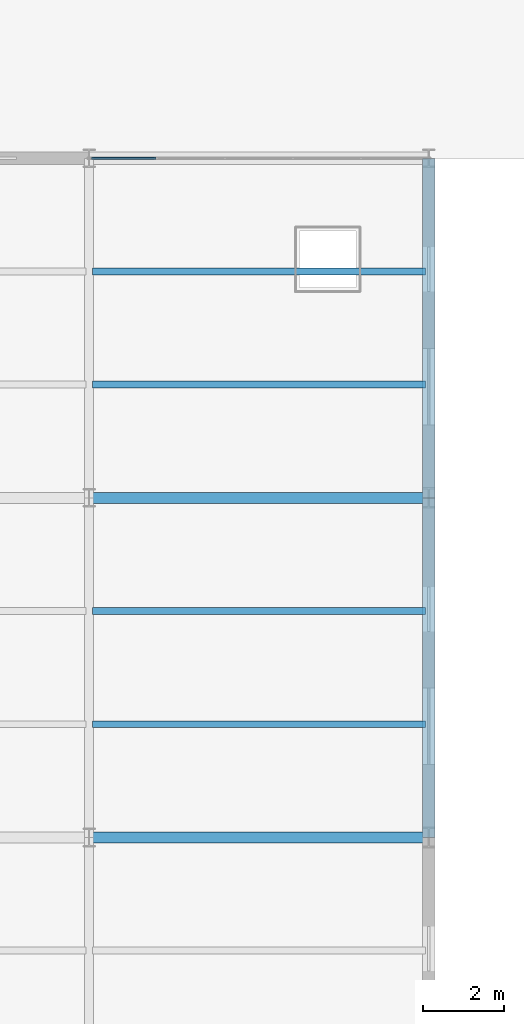
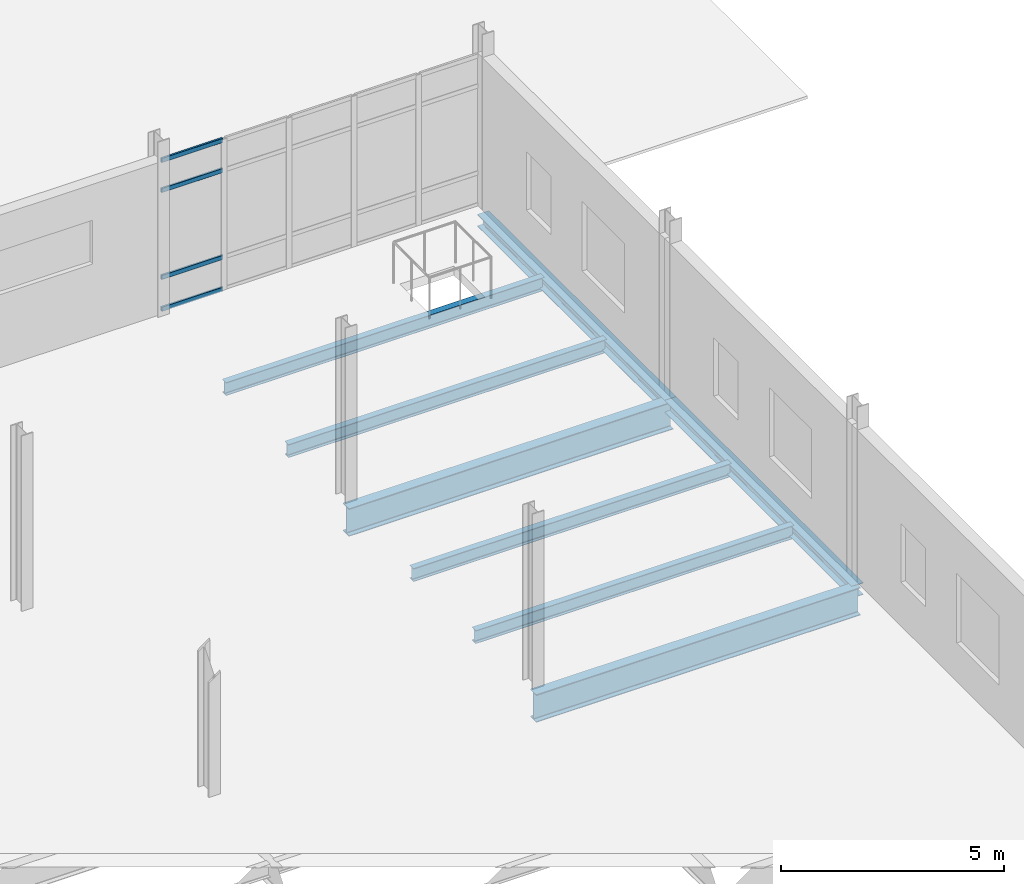
# One storey, part 103 of 145: 8 beams, 4 members, 1 element without a shape of its own.
"""IFC4 building model written with IfcOpenShell, lengths in metres."""

from ifc_helpers import new_model, si_unit, direction, frame, origin, origin_2d, place, context, subcontext, project, spatial, hollow_rectangle, i_section, extrude, material, layer, layer_set, material_profile, profile_set, type_object, element, aggregate, save


model = new_model("IFC4")

# Units and contexts
model_context = context("Model", 3, precision=1e-05, world=origin(), true_north=direction((0.0, 1.0)))
body_context = subcontext(model_context, "Body", "Model", "MODEL_VIEW")
ifc_project = project(units=[si_unit("LENGTHUNIT", "METRE"), si_unit("AREAUNIT", "SQUARE_METRE"), si_unit("VOLUMEUNIT", "CUBIC_METRE"), si_unit("PLANEANGLEUNIT", "RADIAN"), si_unit("MASSUNIT", "GRAM", prefix="KILO")], contexts=[model_context])

# Site, building, storey
site_placement = place(None, origin())
site = spatial("IfcSite", under=ifc_project, at=site_placement, CompositionType="ELEMENT")
building_placement = place(site_placement, origin())
building = spatial("IfcBuilding", under=site, at=building_placement, Name="Qalvenar Corner Mobility Hub", CompositionType="ELEMENT")
storey_placement = place(building_placement, origin())
storey = spatial("IfcBuildingStorey", under=building, at=storey_placement, Name="L00", CompositionType="ELEMENT", Elevation=0.0)

# Beams
ifc_material_1 = material(Name="Steel S355", Category="steel")
ifc_material_profile_1 = material_profile(ifc_material_1, i_section(OverallWidth=0.26708984375, OverallDepth=0.761962890625, WebThickness=0.014404296875, FlangeThickness=0.021484375, FilletRadius=0.01708984375, at=origin_2d()), Name="IPE750x173")
ifc_profile_set_1 = profile_set([ifc_material_profile_1], Name="Steel S355")
beam_type_1 = type_object("IfcBeamType", Name="BM-IPE750", PredefinedType="BEAM", material=ifc_profile_set_1)
for number, where, z_axis, x_axis, name in (
    (1, (159.60009765625, 33.60009765625, -0.631103515625), (1.0, 0.0, 0.0), (0.0, 1.0, 0.0), "Primary Steel Girder GX-0282"),
    (2, (159.60009765625, 42.0, -0.631103515625), (1.0, 0.0, 0.0), (0.0, 1.0, 0.0), "Primary Steel Girder GX-0289"),
):
    element("IfcBeam", number, at=place(storey_placement, frame(where, z_axis=z_axis, x_axis=x_axis)), inside=storey, type_object=beam_type_1, Name=name, PredefinedType="BEAM", context=body_context, shape_type="SweptSolid", body=[
        extrude(i_section(OverallWidth=0.26708984375, OverallDepth=0.761962890625, WebThickness=0.014404296875, FlangeThickness=0.021484375, FilletRadius=0.01708984375, at=origin_2d()), origin(), (0.0, 0.0, 1.0), 8.39990234375),
    ])
ifc_material_profile_2 = material_profile(ifc_material_1, i_section(OverallWidth=0.169921875, OverallDepth=0.360107421875, WebThickness=0.008056640625, FlangeThickness=0.0126953125, FilletRadius=0.01806640625, at=origin_2d()), Name="IPE360")
ifc_profile_set_2 = profile_set([ifc_material_profile_2], Name="Steel S355")
beam_type_2 = type_object("IfcBeamType", Name="BM-JST360", PredefinedType="JOIST", material=ifc_profile_set_2)
for number, where, z_axis, x_axis, name in (
    (3, (159.677978515625, 36.39990234375, -0.429931640625), (1.0, 0.0, 0.0), (0.0, 1.0, 0.0), "Composite Floor Joist J-0419"),
    (4, (159.677978515625, 39.199951171875, -0.429931640625), (1.0, 0.0, 0.0), (0.0, 1.0, 0.0), "Composite Floor Joist J-0420"),
    (5, (159.677978515625, 44.800048828125, -0.429931640625), (1.0, 0.0, 0.0), (0.0, 1.0, 0.0), "Composite Floor Joist J-0421"),
    (6, (159.677978515625, 47.60009765625, -0.429931640625), (1.0, 0.0, 0.0), (0.0, 1.0, 0.0), "Composite Floor Joist J-0422"),
):
    element("IfcBeam", number, at=place(storey_placement, frame(where, z_axis=z_axis, x_axis=x_axis)), inside=storey, type_object=beam_type_2, Name=name, PredefinedType="JOIST", context=body_context, shape_type="SweptSolid", body=[
        extrude(i_section(OverallWidth=0.169921875, OverallDepth=0.360107421875, WebThickness=0.008056640625, FlangeThickness=0.0126953125, FilletRadius=0.01806640625, at=origin_2d()), origin(), (0.0, 0.0, 1.0), 8.244140625),
    ])
ifc_material_profile_3 = material_profile(ifc_material_1, i_section(OverallWidth=0.300048828125, OverallDepth=0.330078125, WebThickness=0.009521484375, FlangeThickness=0.0166015625, FilletRadius=0.027099609375, at=origin_2d()), Name="HEA340")
ifc_profile_set_3 = profile_set([ifc_material_profile_3], Name="Steel S355")
beam_type_3 = type_object("IfcBeamType", Name="BM-SPN340", PredefinedType="SPANDREL", material=ifc_profile_set_3)
for number, where, z_axis, x_axis, name in (
    (7, (168.0, 33.60009765625, -0.4150390625), (0.0, 1.0, 0.0), (-1.0, 0.0, 0.0), "Primary Steel Girder GY-0339"),
    (8, (168.0, 42.0, -0.4150390625), (0.0, 1.0, 0.0), (-1.0, 0.0, 0.0), "Primary Steel Girder GY-0340"),
):
    element("IfcBeam", number, at=place(storey_placement, frame(where, z_axis=z_axis, x_axis=x_axis)), inside=storey, type_object=beam_type_3, Name=name, PredefinedType="SPANDREL", context=body_context, shape_type="SweptSolid", body=[
        extrude(i_section(OverallWidth=0.300048828125, OverallDepth=0.330078125, WebThickness=0.009521484375, FlangeThickness=0.0166015625, FilletRadius=0.027099609375, at=origin_2d()), origin(), (0.0, 0.0, 1.0), 8.39990234375),
    ])

# Curtain wall, members
ifc_material_2 = material(Name="Anodised Aluminium and Low-E Glazing", Category="aluminium")
ifc_layer = layer(ifc_material_2, 0.14990234375)
ifc_layer_set = layer_set([ifc_layer], Name="Anodised Aluminium and Low-E Glazing")
curtain_wall_type = type_object("IfcCurtainWallType", Name="CW-WKS-84X44", PredefinedType="NOTDEFINED", material=ifc_layer_set)
curtain_wall_placement = place(storey_placement, origin())
curtain_wall = element("IfcCurtainWall", 9, at=curtain_wall_placement, inside=storey, type_object=curtain_wall_type, Name="Glazed Curtain Wall CW-V6-L00-N6", PredefinedType="NOTDEFINED")
ifc_material_3 = material(Name="Anodised Aluminium 6063-T6", Category="aluminium")
ifc_material_profile_4 = material_profile(ifc_material_3, hollow_rectangle(XDim=0.054931640625, YDim=0.1201171875, WallThickness=0.00341796875, InnerFilletRadius=0.00341796875, OuterFilletRadius=0.007080078125, at=origin_2d()), Name="RHS120x55x3.5")
ifc_profile_set_4 = profile_set([ifc_material_profile_4], Name="Anodised Aluminium 6063-T6")
member_type = type_object("IfcMemberType", Name="CW-TRN120", PredefinedType="USERDEFINED", material=ifc_profile_set_4)
member_1_placement = place(storey_placement, frame((161.25, 50.39990234375, 0.027587890625), z_axis=(-1.0, 0.0, 0.0), x_axis=(0.0, -1.0, 0.0)))
member_1 = element("IfcMember", 10, at=member_1_placement, type_object=member_type, Name="CW-09 transom 5.1", ObjectType="TRANSOM", PredefinedType="USERDEFINED", context=body_context, shape_type="SweptSolid", body=[
    extrude(hollow_rectangle(XDim=0.054931640625, YDim=0.1201171875, WallThickness=0.00341796875, InnerFilletRadius=0.00341796875, OuterFilletRadius=0.007080078125, at=origin_2d()), origin(), (0.0, 0.0, 1.0), 1.590087890625),
])
member_2_placement = place(storey_placement, frame((161.25, 50.39990234375, 0.89990234375), z_axis=(-1.0, 0.0, 0.0), x_axis=(0.0, -1.0, 0.0)))
member_2 = element("IfcMember", 11, at=member_2_placement, type_object=member_type, Name="CW-09 transom 5.2", ObjectType="TRANSOM", PredefinedType="USERDEFINED", context=body_context, shape_type="SweptSolid", body=[
    extrude(hollow_rectangle(XDim=0.054931640625, YDim=0.1201171875, WallThickness=0.00341796875, InnerFilletRadius=0.00341796875, OuterFilletRadius=0.007080078125, at=origin_2d()), origin(), (0.0, 0.0, 1.0), 1.590087890625),
])
member_3_placement = place(storey_placement, frame((161.25, 50.39990234375, 3.280029296875), z_axis=(-1.0, 0.0, 0.0), x_axis=(0.0, -1.0, 0.0)))
member_3 = element("IfcMember", 12, at=member_3_placement, type_object=member_type, Name="CW-09 transom 5.3", ObjectType="TRANSOM", PredefinedType="USERDEFINED", context=body_context, shape_type="SweptSolid", body=[
    extrude(hollow_rectangle(XDim=0.054931640625, YDim=0.1201171875, WallThickness=0.00341796875, InnerFilletRadius=0.00341796875, OuterFilletRadius=0.007080078125, at=origin_2d()), origin(), (0.0, 0.0, 1.0), 1.590087890625),
])
member_4_placement = place(storey_placement, frame((161.25, 50.39990234375, 4.1025390625), z_axis=(-1.0, 0.0, 0.0), x_axis=(0.0, -1.0, 0.0)))
member_4 = element("IfcMember", 13, at=member_4_placement, type_object=member_type, Name="CW-09 transom 5.4", ObjectType="TRANSOM", PredefinedType="USERDEFINED", context=body_context, shape_type="SweptSolid", body=[
    extrude(hollow_rectangle(XDim=0.054931640625, YDim=0.1201171875, WallThickness=0.00341796875, InnerFilletRadius=0.00341796875, OuterFilletRadius=0.007080078125, at=origin_2d()), origin(), (0.0, 0.0, 1.0), 1.590087890625),
])
aggregate(curtain_wall, [member_1, member_2, member_3, member_4])

save(model, "model.ifc")
